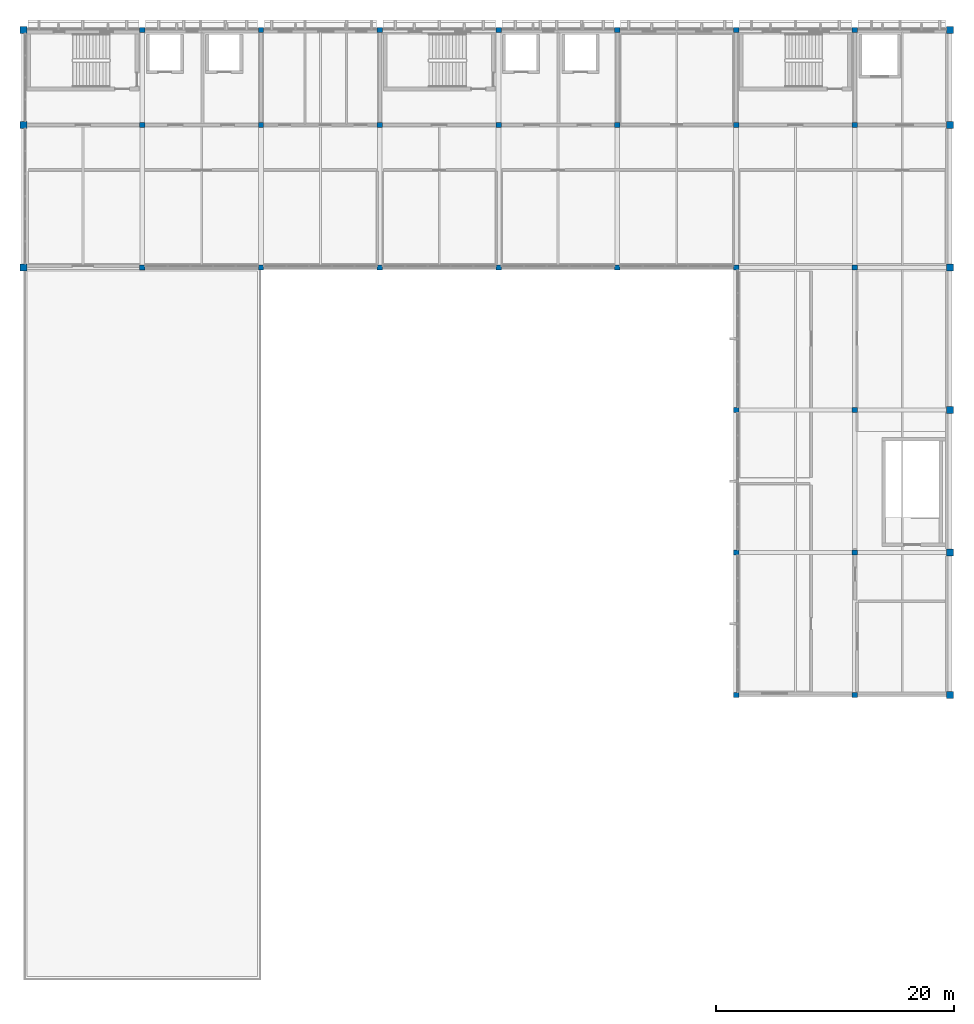
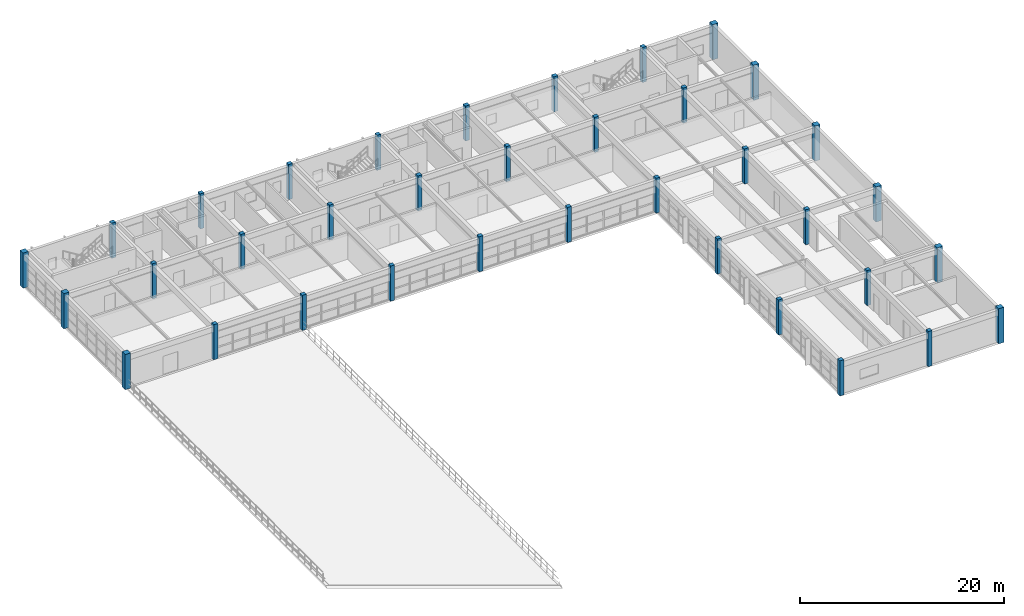
# One storey, part 1 of 21: 36 columns.
"""IFC4 building model written with IfcOpenShell, lengths in metres."""

from ifc_helpers import new_model, si_unit, direction, frame, origin, origin_2d, place, context, subcontext, project, spatial, rectangle, extrude, material, material_profile, profile_set, type_object, element, save


model = new_model("IFC4")

# Units and contexts
model_context = context("Model", 3, precision=1e-05, world=origin(), true_north=direction((0.0, 1.0)))
body_context = subcontext(model_context, "Body", "Model", "MODEL_VIEW")
ifc_project = project(units=[si_unit("LENGTHUNIT", "METRE"), si_unit("AREAUNIT", "SQUARE_METRE"), si_unit("VOLUMEUNIT", "CUBIC_METRE"), si_unit("PLANEANGLEUNIT", "RADIAN"), si_unit("MASSUNIT", "GRAM", prefix="KILO")], contexts=[model_context])

# Site, building, storey
site_placement = place(None, origin())
site = spatial("IfcSite", under=ifc_project, at=site_placement, CompositionType="ELEMENT")
building_placement = place(site_placement, origin())
building = spatial("IfcBuilding", under=site, at=building_placement, Name="Kivolera Central Railway Station", CompositionType="ELEMENT")
storey_placement = place(building_placement, frame((0.0, 0.0, 22.800048828125)))
storey = spatial("IfcBuildingStorey", under=building, at=storey_placement, Name="L05", CompositionType="ELEMENT", Elevation=22.800048828125)

# Columns
ifc_material = material(Name="Concrete C40/50", Category="concrete")
ifc_material_profile_1 = material_profile(ifc_material, rectangle(XDim=0.449951171875, YDim=0.449951171875, at=origin_2d()), Name="RC 450x450")
ifc_profile_set_1 = profile_set([ifc_material_profile_1], Name="Concrete C40/50")
column_type_1 = type_object("IfcColumnType", Name="COL-RC-450", PredefinedType="COLUMN", material=ifc_profile_set_1)
for number, where, z_axis, x_axis, name in (
    (1, (128.0, 114.0, 0.0), (0.0, 0.0, 1.0), (1.0, 0.0, 0.0), "L05 Wing Column 13-K"),
    (2, (128.0, 126.0, 0.0), (0.0, 0.0, 1.0), (1.0, 0.0, 0.0), "L05 Wing Column 13-L"),
    (3, (128.0, 134.0, 0.0), (0.0, 0.0, 1.0), (1.0, 0.0, 0.0), "L05 Wing Column 13-M"),
    (4, (138.0, 114.0, 0.0), (0.0, 0.0, 1.0), (1.0, 0.0, 0.0), "L05 Wing Column 14-K"),
    (5, (138.0, 126.0, 0.0), (0.0, 0.0, 1.0), (1.0, 0.0, 0.0), "L05 Wing Column 14-L"),
    (6, (138.0, 134.0, 0.0), (0.0, 0.0, 1.0), (1.0, 0.0, 0.0), "L05 Wing Column 14-M"),
    (7, (148.0, 114.0, 0.0), (0.0, 0.0, 1.0), (1.0, 0.0, 0.0), "L05 Wing Column 15-K"),
    (8, (148.0, 126.0, 0.0), (0.0, 0.0, 1.0), (1.0, 0.0, 0.0), "L05 Wing Column 15-L"),
    (9, (148.0, 134.0, 0.0), (0.0, 0.0, 1.0), (1.0, 0.0, 0.0), "L05 Wing Column 15-M"),
    (10, (158.0, 114.0, 0.0), (0.0, 0.0, 1.0), (1.0, 0.0, 0.0), "L05 Wing Column 16-K"),
    (11, (158.0, 126.0, 0.0), (0.0, 0.0, 1.0), (1.0, 0.0, 0.0), "L05 Wing Column 16-L"),
    (12, (158.0, 134.0, 0.0), (0.0, 0.0, 1.0), (1.0, 0.0, 0.0), "L05 Wing Column 16-M"),
    (13, (168.0, 114.0, 0.0), (0.0, 0.0, 1.0), (1.0, 0.0, 0.0), "L05 Wing Column 17-K"),
    (14, (168.0, 126.0, 0.0), (0.0, 0.0, 1.0), (1.0, 0.0, 0.0), "L05 Wing Column 17-L"),
    (15, (168.0, 134.0, 0.0), (0.0, 0.0, 1.0), (1.0, 0.0, 0.0), "L05 Wing Column 17-M"),
    (16, (178.0, 78.0, 0.0), (0.0, 0.0, 1.0), (1.0, 0.0, 0.0), "L05 Wing Column 18-G"),
    (17, (178.0, 90.0, 0.0), (0.0, 0.0, 1.0), (1.0, 0.0, 0.0), "L05 Wing Column 18-H"),
    (18, (178.0, 102.0, 0.0), (0.0, 0.0, 1.0), (1.0, 0.0, 0.0), "L05 Wing Column 18-J"),
    (19, (178.0, 114.0, 0.0), (0.0, 0.0, 1.0), (1.0, 0.0, 0.0), "L05 Wing Column 18-K"),
    (20, (178.0, 126.0, 0.0), (0.0, 0.0, 1.0), (1.0, 0.0, 0.0), "L05 Wing Column 18-L"),
    (21, (178.0, 134.0, 0.0), (0.0, 0.0, 1.0), (1.0, 0.0, 0.0), "L05 Wing Column 18-M"),
    (22, (188.0, 78.0, 0.0), (0.0, 0.0, 1.0), (1.0, 0.0, 0.0), "L05 Wing Column 19-G"),
    (23, (188.0, 90.0, 0.0), (0.0, 0.0, 1.0), (1.0, 0.0, 0.0), "L05 Wing Column 19-H"),
    (24, (188.0, 102.0, 0.0), (0.0, 0.0, 1.0), (1.0, 0.0, 0.0), "L05 Wing Column 19-J"),
    (25, (188.0, 114.0, 0.0), (0.0, 0.0, 1.0), (1.0, 0.0, 0.0), "L05 Wing Column 19-K"),
    (26, (188.0, 126.0, 0.0), (0.0, 0.0, 1.0), (1.0, 0.0, 0.0), "L05 Wing Column 19-L"),
    (27, (188.0, 134.0, 0.0), (0.0, 0.0, 1.0), (1.0, 0.0, 0.0), "L05 Wing Column 19-M"),
):
    element("IfcColumn", number, at=place(storey_placement, frame(where, z_axis=z_axis, x_axis=x_axis)), inside=storey, type_object=column_type_1, Name=name, PredefinedType="COLUMN", context=body_context, shape_type="SweptSolid", body=[
        extrude(rectangle(XDim=0.449951171875, YDim=0.449951171875, at=origin_2d()), origin(), (0.0, 0.0, 1.0), 4.199951171875),
    ])
ifc_material_profile_2 = material_profile(ifc_material, rectangle(XDim=0.60009765625, YDim=0.60009765625, at=origin_2d()), Name="RC 600x600")
ifc_profile_set_2 = profile_set([ifc_material_profile_2], Name="Concrete C40/50")
column_type_2 = type_object("IfcColumnType", Name="COL-RC-600", PredefinedType="COLUMN", material=ifc_profile_set_2)
for number, where, z_axis, x_axis, name in (
    (28, (118.0, 114.0, 0.0), (0.0, 0.0, 1.0), (1.0, 0.0, 0.0), "L05 Wing Column 12-K"),
    (29, (118.0, 126.0, 0.0), (0.0, 0.0, 1.0), (1.0, 0.0, 0.0), "L05 Wing Column 12-L"),
    (30, (118.0, 134.0, 0.0), (0.0, 0.0, 1.0), (1.0, 0.0, 0.0), "L05 Wing Column 12-M"),
    (31, (196.0, 78.0, 0.0), (0.0, 0.0, 1.0), (1.0, 0.0, 0.0), "L05 Wing Column 20-G"),
    (32, (196.0, 90.0, 0.0), (0.0, 0.0, 1.0), (1.0, 0.0, 0.0), "L05 Wing Column 20-H"),
    (33, (196.0, 102.0, 0.0), (0.0, 0.0, 1.0), (1.0, 0.0, 0.0), "L05 Wing Column 20-J"),
    (34, (196.0, 114.0, 0.0), (0.0, 0.0, 1.0), (1.0, 0.0, 0.0), "L05 Wing Column 20-K"),
    (35, (196.0, 126.0, 0.0), (0.0, 0.0, 1.0), (1.0, 0.0, 0.0), "L05 Wing Column 20-L"),
    (36, (196.0, 134.0, 0.0), (0.0, 0.0, 1.0), (1.0, 0.0, 0.0), "L05 Wing Column 20-M"),
):
    element("IfcColumn", number, at=place(storey_placement, frame(where, z_axis=z_axis, x_axis=x_axis)), inside=storey, type_object=column_type_2, Name=name, PredefinedType="COLUMN", context=body_context, shape_type="SweptSolid", body=[
        extrude(rectangle(XDim=0.60009765625, YDim=0.60009765625, at=origin_2d()), origin(), (0.0, 0.0, 1.0), 4.199951171875),
    ])

save(model, "model.ifc")
